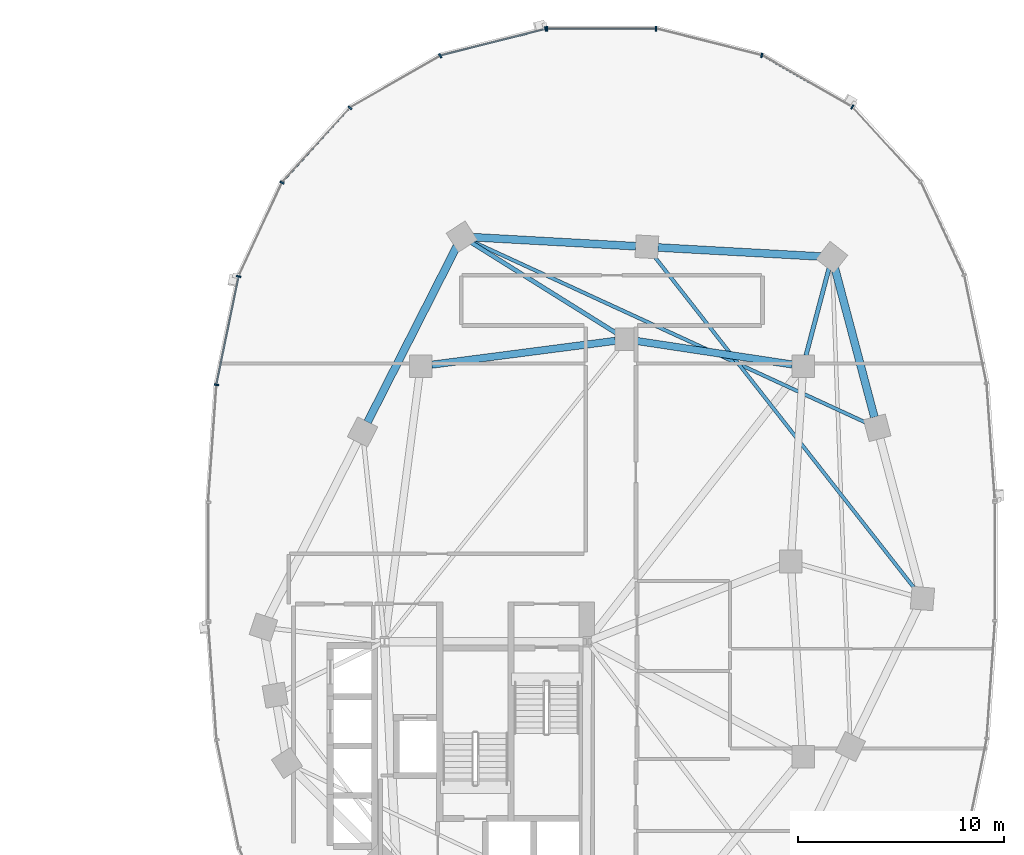
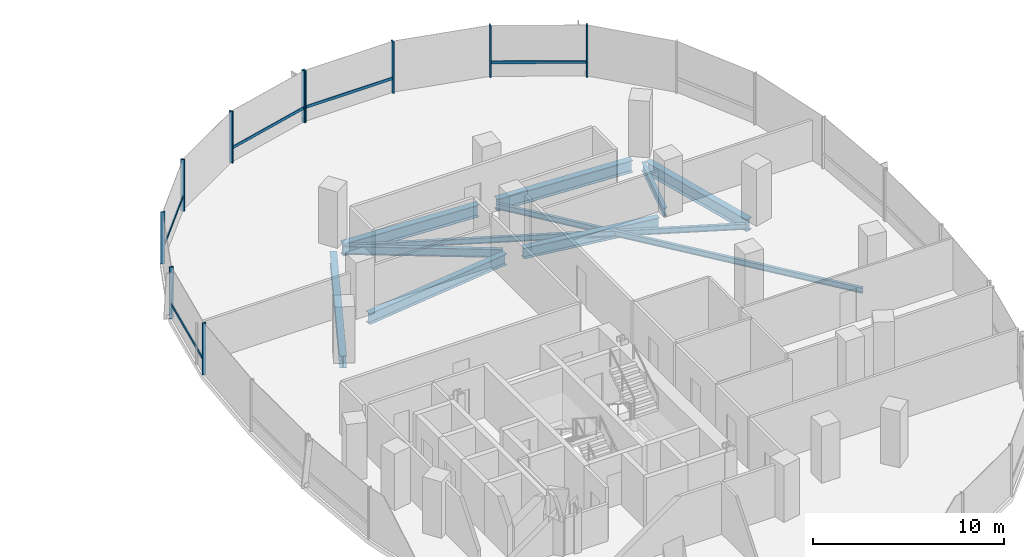
# One storey, part 7 of 21: 15 members, 10 beams, 2 elements without a shape of their own.
"""IFC4 building model written with IfcOpenShell, lengths in metres."""

from ifc_helpers import new_model, si_unit, direction, frame, origin, origin_2d, place, context, subcontext, project, spatial, rectangle, i_section, extrude, material, material_profile, profile_set, type_object, element, aggregate, save


model = new_model("IFC4")

# Units and contexts
model_context = context("Model", 3, precision=1e-05, world=origin(), true_north=direction((0.0, 1.0)))
body_context = subcontext(model_context, "Body", "Model", "MODEL_VIEW")
ifc_project = project(units=[si_unit("LENGTHUNIT", "METRE"), si_unit("AREAUNIT", "SQUARE_METRE"), si_unit("VOLUMEUNIT", "CUBIC_METRE"), si_unit("PLANEANGLEUNIT", "RADIAN"), si_unit("MASSUNIT", "GRAM", prefix="KILO"), si_unit("THERMODYNAMICTEMPERATUREUNIT", "KELVIN"), si_unit("POWERUNIT", "WATT")], contexts=[model_context])

# Site, building, storey
site_placement = place(None, origin())
site = spatial("IfcSite", under=ifc_project, at=site_placement, CompositionType="ELEMENT")
building_placement = place(site_placement, origin())
building = spatial("IfcBuilding", under=site, at=building_placement, Name="Cundina Bronze Exchange", CompositionType="ELEMENT")
storey_placement = place(building_placement, frame((0.0, 0.0, 99.800048828125)))
storey = spatial("IfcBuildingStorey", under=building, at=storey_placement, Name="L25", CompositionType="ELEMENT", Elevation=99.800048828125)

# Beams
ifc_material_1 = material(Name="Steel ASTM A992 Grade 50", Category="steel")
ifc_material_profile_1 = material_profile(ifc_material_1, i_section(OverallWidth=0.2099609375, OverallDepth=0.532958984375, WebThickness=0.01025390625, FlangeThickness=0.015625, FilletRadius=0.013916015625, at=origin_2d()), Name="W21X62", Category="steel")
ifc_profile_set_1 = profile_set([ifc_material_profile_1], Name="Steel ASTM A992 Grade 50")
beam_type_1 = type_object("IfcBeamType", Name="BM-FLR-W21B", PredefinedType="BEAM", material=ifc_profile_set_1)
beam_1_placement = place(storey_placement, frame((41.9375, 10.020263671875, -0.566650390625), z_axis=(0.255357891402, 0.966846599673, 0.0), x_axis=(-0.966846599673, 0.255357891402, 0.0)))
element("IfcBeam", 1, at=beam_1_placement, inside=storey, type_object=beam_type_1, Name="L25 Leg E Chordal Floor Beam 10", PredefinedType="BEAM", context=body_context, shape_type="SweptSolid", body=[
    extrude(i_section(OverallWidth=0.2099609375, OverallDepth=0.532958984375, WebThickness=0.01025390625, FlangeThickness=0.015625, FilletRadius=0.013916015625, at=origin_2d()), origin(), (0.0, 0.0, 1.0), 4.405517578125),
])
beam_2_placement = place(storey_placement, frame((32.743896484375, 11.085205078125, -0.566650390625), z_axis=(-0.848003227047, 0.529991063055, 0.0), x_axis=(-0.529991063055, -0.848003227047, 0.0)))
element("IfcBeam", 2, at=beam_2_placement, inside=storey, type_object=beam_type_1, Name="L25 Leg E Chordal Floor Beam 12", PredefinedType="BEAM", context=body_context, shape_type="SweptSolid", body=[
    extrude(i_section(OverallWidth=0.2099609375, OverallDepth=0.532958984375, WebThickness=0.01025390625, FlangeThickness=0.015625, FilletRadius=0.013916015625, at=origin_2d()), origin(), (0.0, 0.0, 1.0), 8.358154296875),
])
ifc_material_profile_2 = material_profile(ifc_material_1, i_section(OverallWidth=0.172119140625, OverallDepth=0.35791015625, WebThickness=0.0078125, FlangeThickness=0.01318359375, FilletRadius=0.010009765625, at=origin_2d()), Name="W14X38", Category="steel")
ifc_profile_set_2 = profile_set([ifc_material_profile_2], Name="Steel ASTM A992 Grade 50")
beam_type_2 = type_object("IfcBeamType", Name="BM-JST-W14", PredefinedType="JOIST", material=ifc_profile_set_2)
beam_3_placement = place(storey_placement, frame((47.268310546875, -1.37646484375, -0.47900390625), z_axis=(-0.616815348306, 0.787107887201, 0.0), x_axis=(-0.787107887201, -0.616815348306, 0.0)))
element("IfcBeam", 3, at=beam_3_placement, inside=storey, type_object=beam_type_2, Name="L25 Leg E Lobe Floor Joist 08-11", PredefinedType="JOIST", context=body_context, shape_type="SweptSolid", body=[
    extrude(i_section(OverallWidth=0.172119140625, OverallDepth=0.35791015625, WebThickness=0.0078125, FlangeThickness=0.01318359375, FilletRadius=0.010009765625, at=origin_2d()), origin(), (0.0, 0.0, 1.0), 20.64892578125),
])
beam_4_placement = place(storey_placement, frame((44.911376953125, 6.72509765625, -0.47900390625), z_axis=(-0.908357076874, 0.41819543385, 0.0), x_axis=(-0.41819543385, -0.908357076874, 0.0)))
element("IfcBeam", 4, at=beam_4_placement, inside=storey, type_object=beam_type_2, Name="L25 Leg E Lobe Floor Joist 09-12", PredefinedType="JOIST", context=body_context, shape_type="SweptSolid", body=[
    extrude(i_section(OverallWidth=0.172119140625, OverallDepth=0.35791015625, WebThickness=0.0078125, FlangeThickness=0.01318359375, FilletRadius=0.010009765625, at=origin_2d()), origin(), (0.0, 0.0, 1.0), 21.162109375),
])
ifc_material_profile_3 = material_profile(ifc_material_1, i_section(OverallWidth=0.35498046875, OverallDepth=0.695068359375, WebThickness=0.015380859375, FlangeThickness=0.02490234375, FilletRadius=0.01806640625, at=origin_2d()), Name="W27X146", Category="steel")
ifc_profile_set_3 = profile_set([ifc_material_profile_3], Name="Steel ASTM A992 Grade 50")
beam_type_3 = type_object("IfcBeamType", Name="BM-RING-W27", PredefinedType="USERDEFINED", material=ifc_profile_set_3)
beam_5_placement = place(storey_placement, frame((41.26806640625, 9.580322265625, -0.6474609375), z_axis=(-0.988767489563, 0.149461873341, 0.0), x_axis=(-0.149461873341, -0.988767489563, 0.0)))
element("IfcBeam", 5, at=beam_5_placement, inside=storey, type_object=beam_type_3, Name="L25 E Inner Structural Ring Girder 05", ObjectType="GIRDER", PredefinedType="USERDEFINED", context=body_context, shape_type="SweptSolid", body=[
    extrude(i_section(OverallWidth=0.35498046875, OverallDepth=0.695068359375, WebThickness=0.015380859375, FlangeThickness=0.02490234375, FilletRadius=0.01806640625, at=origin_2d()), origin(), (0.0, 0.0, 1.0), 7.621826171875),
])
beam_6_placement = place(storey_placement, frame((32.66650390625, 10.730712890625, -0.6474609375), z_axis=(-0.991654577907, -0.128923225666, 0.0), x_axis=(0.128923225666, -0.991654577907, 0.0)))
element("IfcBeam", 6, at=beam_6_placement, inside=storey, type_object=beam_type_3, Name="L25 E Inner Structural Ring Girder 06", ObjectType="GIRDER", PredefinedType="USERDEFINED", context=body_context, shape_type="SweptSolid", body=[
    extrude(i_section(OverallWidth=0.35498046875, OverallDepth=0.695068359375, WebThickness=0.015380859375, FlangeThickness=0.02490234375, FilletRadius=0.01806640625, at=origin_2d()), origin(), (0.0, 0.0, 1.0), 9.00830078125),
])
ifc_material_profile_4 = material_profile(ifc_material_1, i_section(OverallWidth=0.381103515625, OverallDepth=0.77294921875, WebThickness=0.0166015625, FlangeThickness=0.027099609375, FilletRadius=0.01904296875, at=origin_2d()), Name="W30X173", Category="steel")
ifc_profile_set_4 = profile_set([ifc_material_profile_4], Name="Steel ASTM A992 Grade 50")
beam_type_4 = type_object("IfcBeamType", Name="BM-RING-W30", PredefinedType="USERDEFINED", material=ifc_profile_set_4)
beam_7_placement = place(storey_placement, frame((45.26220703125, 7.02001953125, -0.6865234375), z_axis=(-0.256209719931, 0.966621218168, 0.0), x_axis=(-0.966621218168, -0.256209719931, 0.0)))
element("IfcBeam", 7, at=beam_7_placement, inside=storey, type_object=beam_type_4, Name="L25 E Perimeter Ring Girder 09", ObjectType="GIRDER", PredefinedType="USERDEFINED", context=body_context, shape_type="SweptSolid", body=[
    extrude(i_section(OverallWidth=0.381103515625, OverallDepth=0.77294921875, WebThickness=0.0166015625, FlangeThickness=0.027099609375, FilletRadius=0.01904296875, at=origin_2d()), origin(), (0.0, 0.0, 1.0), 7.5107421875),
])
for number, where, z_axis, x_axis, name in (
    (8, (42.662841796875, 14.829833984375, -0.6865234375), (-0.99845950136, 0.055485350721, 0.0), (-0.055485350721, -0.99845950136, 0.0), "L25 E Perimeter Ring Girder 10"),
    (9, (33.662841796875, 15.329833984375, -0.6865234375), (-0.99845950136, 0.055485350721, 0.0), (-0.055485350721, -0.99845950136, 0.0), "L25 E Perimeter Ring Girder 11"),
):
    element("IfcBeam", number, at=place(storey_placement, frame(where, z_axis=z_axis, x_axis=x_axis)), inside=storey, type_object=beam_type_4, Name=name, ObjectType="GIRDER", PredefinedType="USERDEFINED", context=body_context, shape_type="SweptSolid", body=[
        extrude(i_section(OverallWidth=0.381103515625, OverallDepth=0.77294921875, WebThickness=0.0166015625, FlangeThickness=0.027099609375, FilletRadius=0.01904296875, at=origin_2d()), origin(), (0.0, 0.0, 1.0), 7.937744140625),
    ])
beam_8_placement = place(storey_placement, frame((24.956298828125, 15.3203125, -0.6865234375), z_axis=(-0.452832332744, -0.891595692241, 0.0), x_axis=(0.891595692241, -0.452832332744, 0.0)))
element("IfcBeam", 10, at=beam_8_placement, inside=storey, type_object=beam_type_4, Name="L25 E Perimeter Ring Girder 12", ObjectType="GIRDER", PredefinedType="USERDEFINED", context=body_context, shape_type="SweptSolid", body=[
    extrude(i_section(OverallWidth=0.381103515625, OverallDepth=0.77294921875, WebThickness=0.0166015625, FlangeThickness=0.027099609375, FilletRadius=0.01904296875, at=origin_2d()), origin(), (0.0, 0.0, 1.0), 9.578857421875),
])

# Curtain wall, members
ifc_material_2 = material(Name="Anodised Bronze Aluminium 6063-T6", Category="aluminium")
curtain_wall_type = type_object("IfcCurtainWallType", Name="CWS-TRD-MID", PredefinedType="NOTDEFINED", material=ifc_material_2)
curtain_wall_1_placement = place(storey_placement, origin())
curtain_wall_1 = element("IfcCurtainWall", 11, at=curtain_wall_1_placement, inside=storey, type_object=curtain_wall_type, Name="L25 CW-03 Curtain Wall Run CWR-L25-E1", PredefinedType="NOTDEFINED")
ifc_material_profile_5 = material_profile(ifc_material_2, rectangle(XDim=0.074951171875, YDim=0.219970703125, at=origin_2d()), Name="AL75X220", Category="aluminium")
ifc_profile_set_5 = profile_set([ifc_material_profile_5], Name="Anodised Bronze Aluminium 6063-T6")
member_type_1 = type_object("IfcMemberType", Name="CWM-MUL-220", PredefinedType="MULLION", material=ifc_profile_set_5)
member_1_placement = place(storey_placement, frame((44.189697265625, 22.097412109375, 0.0), z_axis=(0.0, 0.0, 1.0), x_axis=(-0.867070701164, 0.498185105339, 0.0)))
member_1 = element("IfcMember", 12, at=member_1_placement, type_object=member_type_1, Name="CW-03 Mullion 5", PredefinedType="MULLION", context=body_context, shape_type="SweptSolid", body=[
    extrude(rectangle(XDim=0.074951171875, YDim=0.219970703125, at=origin_2d()), origin(), (0.0, 0.0, 1.0), 3.300048828125),
])
member_2_placement = place(storey_placement, frame((39.78515625, 24.61669921875, 0.0), z_axis=(0.0, 0.0, 1.0), x_axis=(-0.969488149345, 0.245138182011, 0.0)))
member_2 = element("IfcMember", 13, at=member_2_placement, type_object=member_type_1, Name="CW-03 Mullion 6", PredefinedType="MULLION", context=body_context, shape_type="SweptSolid", body=[
    extrude(rectangle(XDim=0.074951171875, YDim=0.219970703125, at=origin_2d()), origin(), (0.0, 0.0, 1.0), 3.300048828125),
])
member_3_placement = place(storey_placement, frame((34.654541015625, 25.905029296875, 0.0), z_axis=(0.0, 0.0, 1.0), x_axis=(-1.0, 0.0, 0.0)))
member_3 = element("IfcMember", 14, at=member_3_placement, type_object=member_type_1, Name="CW-03 Mullion 7", PredefinedType="MULLION", context=body_context, shape_type="SweptSolid", body=[
    extrude(rectangle(XDim=0.074951171875, YDim=0.219970703125, at=origin_2d()), origin(), (0.0, 0.0, 1.0), 3.300048828125),
])
member_4_placement = place(storey_placement, frame((29.345458984375, 25.905029296875, 0.0), z_axis=(0.0, 0.0, 1.0), x_axis=(-1.0, 0.0, 0.0)))
member_4 = element("IfcMember", 15, at=member_4_placement, type_object=member_type_1, Name="CW-03 End Mullion", PredefinedType="MULLION", context=body_context, shape_type="SweptSolid", body=[
    extrude(rectangle(XDim=0.074951171875, YDim=0.219970703125, at=origin_2d()), origin(), (0.0, 0.0, 1.0), 3.300048828125),
])

curtain_wall_2_placement = place(storey_placement, origin())
curtain_wall_2 = element("IfcCurtainWall", 16, at=curtain_wall_2_placement, inside=storey, type_object=curtain_wall_type, Name="L25 CW-03 Curtain Wall Run CWR-L25-E2", PredefinedType="NOTDEFINED")
member_5_placement = place(storey_placement, frame((29.27392578125, 25.89599609375, 0.0), z_axis=(0.0, 0.0, 1.0), x_axis=(-0.969488149345, -0.245138182011, 0.0)))
member_5 = element("IfcMember", 17, at=member_5_placement, type_object=member_type_1, Name="CW-03 Mullion 1", PredefinedType="MULLION", context=body_context, shape_type="SweptSolid", body=[
    extrude(rectangle(XDim=0.074951171875, YDim=0.219970703125, at=origin_2d()), origin(), (0.0, 0.0, 1.0), 3.300048828125),
])
member_6_placement = place(storey_placement, frame((24.151123046875, 24.591064453125, 0.0), z_axis=(0.0, 0.0, 1.0), x_axis=(-0.867070701164, -0.498185105339, 0.0)))
member_6 = element("IfcMember", 18, at=member_6_placement, type_object=member_type_1, Name="CW-03 Mullion 2", PredefinedType="MULLION", context=body_context, shape_type="SweptSolid", body=[
    extrude(rectangle(XDim=0.074951171875, YDim=0.219970703125, at=origin_2d()), origin(), (0.0, 0.0, 1.0), 3.300048828125),
])
member_7_placement = place(storey_placement, frame((19.760498046875, 22.0576171875, 0.0), z_axis=(0.0, 0.0, 1.0), x_axis=(-0.674302387584, -0.738455340626, 0.0)))
member_7 = element("IfcMember", 19, at=member_7_placement, type_object=member_type_1, Name="CW-03 Mullion 3", PredefinedType="MULLION", context=body_context, shape_type="SweptSolid", body=[
    extrude(rectangle(XDim=0.074951171875, YDim=0.219970703125, at=origin_2d()), origin(), (0.0, 0.0, 1.0), 3.300048828125),
])
member_8_placement = place(storey_placement, frame((16.455810546875, 18.423583984375, 0.0), z_axis=(0.0, 0.0, 1.0), x_axis=(-0.42087749791, -0.907117485088, 0.0)))
member_8 = element("IfcMember", 20, at=member_8_placement, type_object=member_type_1, Name="CW-03 Mullion 4", PredefinedType="MULLION", context=body_context, shape_type="SweptSolid", body=[
    extrude(rectangle(XDim=0.074951171875, YDim=0.219970703125, at=origin_2d()), origin(), (0.0, 0.0, 1.0), 3.300048828125),
])
member_9_placement = place(storey_placement, frame((14.348876953125, 13.861328125, 0.0), z_axis=(0.0, 0.0, 1.0), x_axis=(-0.201419845156, -0.979505000486, 0.0)))
member_9 = element("IfcMember", 21, at=member_9_placement, type_object=member_type_1, Name="CW-03 Mullion 5", PredefinedType="MULLION", context=body_context, shape_type="SweptSolid", body=[
    extrude(rectangle(XDim=0.074951171875, YDim=0.219970703125, at=origin_2d()), origin(), (0.0, 0.0, 1.0), 3.300048828125),
])
member_10_placement = place(storey_placement, frame((13.27099609375, 8.591552734375, 0.0), z_axis=(0.0, 0.0, 1.0), x_axis=(-0.070278787473, -0.997527389113, 0.0)))
member_10 = element("IfcMember", 22, at=member_10_placement, type_object=member_type_1, Name="CW-03 Mullion 6", PredefinedType="MULLION", context=body_context, shape_type="SweptSolid", body=[
    extrude(rectangle(XDim=0.074951171875, YDim=0.219970703125, at=origin_2d()), origin(), (0.0, 0.0, 1.0), 3.300048828125),
])

# Member
ifc_material_profile_6 = material_profile(ifc_material_2, rectangle(XDim=0.070068359375, YDim=0.179931640625, at=origin_2d()), Name="AL70X180", Category="aluminium")
ifc_profile_set_6 = profile_set([ifc_material_profile_6], Name="Anodised Bronze Aluminium 6063-T6")
member_type_2 = type_object("IfcMemberType", Name="CWM-TRN-180", PredefinedType="USERDEFINED", material=ifc_profile_set_6)
member_11_placement = place(storey_placement, frame((44.154052734375, 22.117919921875, 0.919921875), z_axis=(-0.867097475651, 0.498138502546, 0.0), x_axis=(-0.498138502546, -0.867097475651, 0.0)))
member_11 = element("IfcMember", 23, at=member_11_placement, type_object=member_type_2, Name="CW-03 Spandrel Transom 5", ObjectType="TRANSOM", PredefinedType="USERDEFINED", context=body_context, shape_type="SweptSolid", body=[
    extrude(rectangle(XDim=0.070068359375, YDim=0.179931640625, at=origin_2d()), origin(), (0.0, 0.0, 1.0), 5.00634765625),
])

member_12_placement = place(storey_placement, frame((34.61328125, 25.905029296875, 0.919921875), z_axis=(-1.0, 0.0, 0.0), x_axis=(0.0, -1.0, 0.0)))
member_12 = element("IfcMember", 24, at=member_12_placement, type_object=member_type_2, Name="CW-03 Spandrel Transom 7", ObjectType="TRANSOM", PredefinedType="USERDEFINED", context=body_context, shape_type="SweptSolid", body=[
    extrude(rectangle(XDim=0.070068359375, YDim=0.179931640625, at=origin_2d()), origin(), (0.0, 0.0, 1.0), 5.2265625),
])

aggregate(curtain_wall_1, [member_1, member_11, member_2, member_3, member_4, member_12])

member_13_placement = place(storey_placement, frame((29.23388671875, 25.885986328125, 0.919921875), z_axis=(-0.969483968866, -0.245154714644, 0.0), x_axis=(0.245154714644, -0.969483968866, 0.0)))
member_13 = element("IfcMember", 25, at=member_13_placement, type_object=member_type_2, Name="CW-03 Spandrel Transom 1", ObjectType="TRANSOM", PredefinedType="USERDEFINED", context=body_context, shape_type="SweptSolid", body=[
    extrude(rectangle(XDim=0.070068359375, YDim=0.179931640625, at=origin_2d()), origin(), (0.0, 0.0, 1.0), 5.21826171875),
])

member_14_placement = place(storey_placement, frame((19.73291015625, 22.027099609375, 0.919921875), z_axis=(-0.674302794847, -0.738454968743, 0.0), x_axis=(0.738454968743, -0.674302794847, 0.0)))
member_14 = element("IfcMember", 26, at=member_14_placement, type_object=member_type_2, Name="CW-03 Spandrel Transom 3", ObjectType="TRANSOM", PredefinedType="USERDEFINED", context=body_context, shape_type="SweptSolid", body=[
    extrude(rectangle(XDim=0.070068359375, YDim=0.179931640625, at=origin_2d()), origin(), (0.0, 0.0, 1.0), 4.848388671875),
])

member_15_placement = place(storey_placement, frame((14.340576171875, 13.821044921875, 0.919921875), z_axis=(-0.201427712708, -0.979503382615, 0.0), x_axis=(0.979503382615, -0.201427712708, 0.0)))
member_15 = element("IfcMember", 27, at=member_15_placement, type_object=member_type_2, Name="CW-03 Spandrel Transom 5", ObjectType="TRANSOM", PredefinedType="USERDEFINED", context=body_context, shape_type="SweptSolid", body=[
    extrude(rectangle(XDim=0.070068359375, YDim=0.179931640625, at=origin_2d()), origin(), (0.0, 0.0, 1.0), 5.291748046875),
])

aggregate(curtain_wall_2, [member_5, member_13, member_6, member_7, member_14, member_8, member_9, member_15, member_10])

save(model, "model.ifc")
